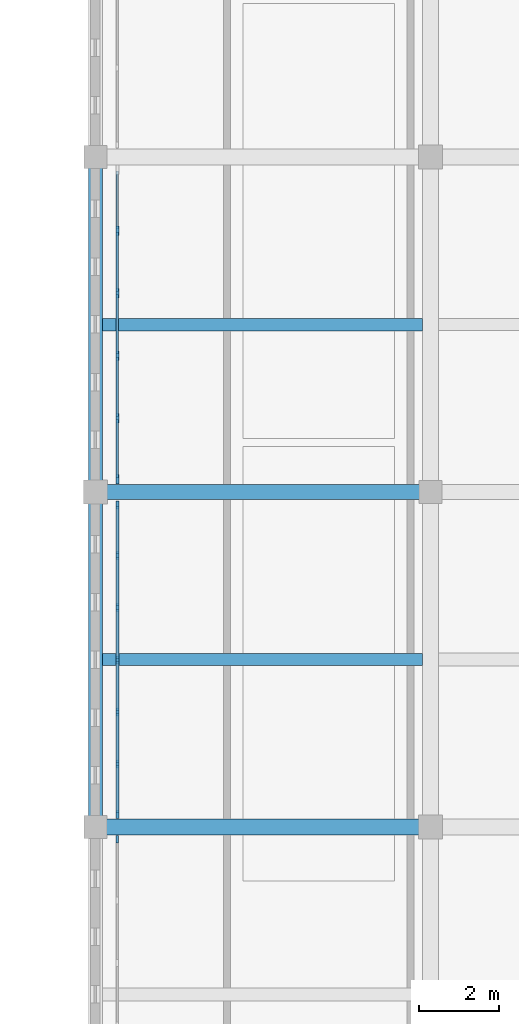
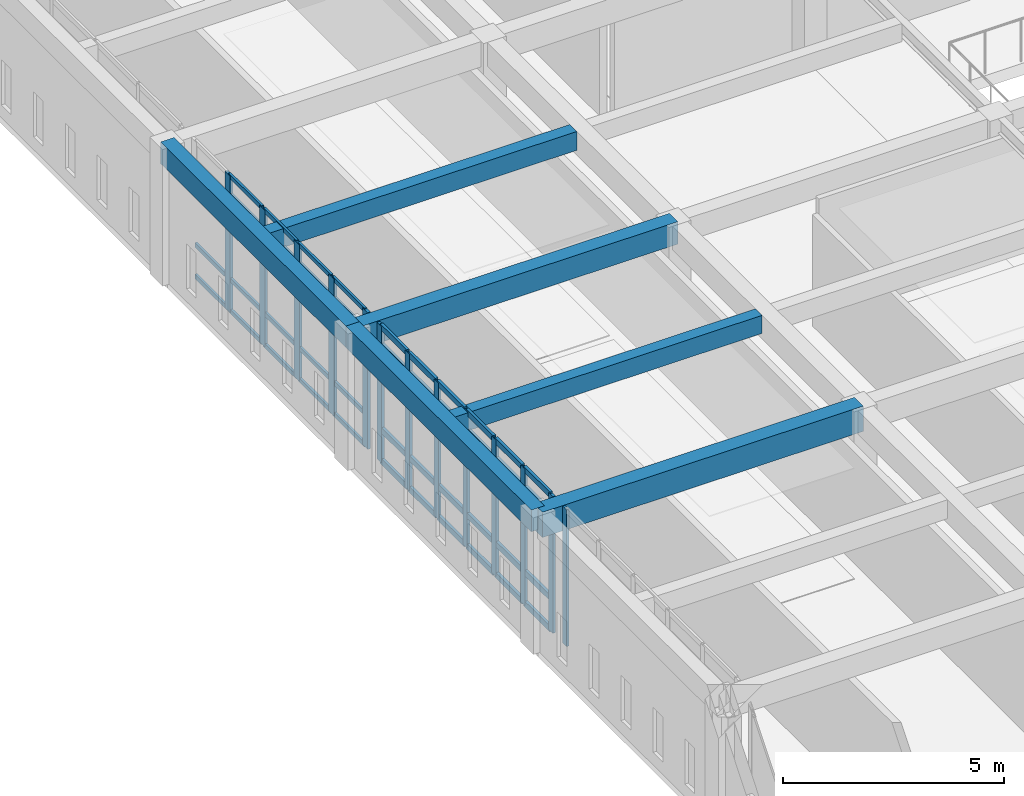
# One storey, part 5 of 56: 55 members, 6 beams, 3 elements without a shape of their own.
"""IFC4 building model written with IfcOpenShell, lengths in metres."""

from ifc_helpers import new_model, si_unit, direction, frame, origin, origin_2d, place, context, subcontext, project, spatial, rectangle, extrude, material, layer, layer_set, material_profile, profile_set, type_object, element, aggregate, save


model = new_model("IFC4")

# Units and contexts
model_context = context("Model", 3, precision=1e-05, world=origin(), true_north=direction((0.0, 1.0)))
body_context = subcontext(model_context, "Body", "Model", "MODEL_VIEW")
ifc_project = project(units=[si_unit("LENGTHUNIT", "METRE"), si_unit("AREAUNIT", "SQUARE_METRE"), si_unit("VOLUMEUNIT", "CUBIC_METRE"), si_unit("PLANEANGLEUNIT", "RADIAN"), si_unit("MASSUNIT", "GRAM", prefix="KILO")], contexts=[model_context])

# Site, building, storey
site_placement = place(None, origin())
site = spatial("IfcSite", under=ifc_project, at=site_placement, CompositionType="ELEMENT")
building_placement = place(site_placement, origin())
building = spatial("IfcBuilding", under=site, at=building_placement, Name="Kveldsbrygga Polytechnic", CompositionType="ELEMENT")
storey_placement = place(building_placement, frame((0.0, 0.0, 18.02001953125)))
storey = spatial("IfcBuildingStorey", under=building, at=storey_placement, Name="L04", CompositionType="ELEMENT", Elevation=18.02001953125)

# Beams
ifc_material_1 = material(Name="Concrete C35/45", Category="concrete")
ifc_material_profile_1 = material_profile(ifc_material_1, rectangle(XDim=0.3798828125, YDim=0.6201171875, at=origin_2d()), Name="RC 380x620")
ifc_profile_set_1 = profile_set([ifc_material_profile_1], Name="Concrete C35/45")
beam_type_1 = type_object("IfcBeamType", Name="BM-RC-380x620", PredefinedType="BEAM", material=ifc_profile_set_1)
beam_1_placement = place(storey_placement, frame((126.0, 58.800048828125, 3.469970703125), z_axis=(1.0, 0.0, 0.0), x_axis=(0.0, 1.0, 0.0)))
element("IfcBeam", 1, at=beam_1_placement, inside=storey, type_object=beam_type_1, Name="Primary Beam BMX-L04-15to16-07", PredefinedType="BEAM", context=body_context, shape_type="SweptSolid", body=[
    extrude(rectangle(XDim=0.3798828125, YDim=0.6201171875, at=origin_2d()), origin(), (0.0, 0.0, 1.0), 8.39990234375),
])
ifc_material_profile_2 = material_profile(ifc_material_1, rectangle(XDim=0.39990234375, YDim=0.699951171875, at=origin_2d()), Name="RC 400x700")
ifc_profile_set_2 = profile_set([ifc_material_profile_2], Name="Concrete C35/45")
beam_type_2 = type_object("IfcBeamType", Name="BM-RC-400x700", PredefinedType="BEAM", material=ifc_profile_set_2)
beam_2_placement = place(storey_placement, frame((126.0, 50.39990234375, 3.429931640625), z_axis=(1.0, 0.0, 0.0), x_axis=(0.0, 1.0, 0.0)))
element("IfcBeam", 2, at=beam_2_placement, inside=storey, type_object=beam_type_2, Name="Primary Beam BMX-L04-15to16-06", PredefinedType="BEAM", context=body_context, shape_type="SweptSolid", body=[
    extrude(rectangle(XDim=0.39990234375, YDim=0.699951171875, at=origin_2d()), origin(), (0.0, 0.0, 1.0), 8.39990234375),
])
ifc_material_profile_3 = material_profile(ifc_material_1, rectangle(XDim=0.35009765625, YDim=0.60009765625, at=origin_2d()), Name="RC 350x600")
ifc_profile_set_3 = profile_set([ifc_material_profile_3], Name="Concrete C35/45")
beam_type_3 = type_object("IfcBeamType", Name="BM-SPANDREL-600", PredefinedType="T_BEAM", material=ifc_profile_set_3)
beam_3_placement = place(storey_placement, frame((126.0, 50.39990234375, 3.47998046875), z_axis=(0.0, 1.0, 0.0), x_axis=(-1.0, 0.0, 0.0)))
element("IfcBeam", 3, at=beam_3_placement, inside=storey, type_object=beam_type_3, Name="Primary Beam BMY-L04-15-06to07", PredefinedType="T_BEAM", context=body_context, shape_type="SweptSolid", body=[
    extrude(rectangle(XDim=0.35009765625, YDim=0.60009765625, at=origin_2d()), origin(), (0.0, 0.0, 1.0), 8.400146484375),
])
beam_4_placement = place(storey_placement, frame((126.0, 58.800048828125, 3.47998046875), z_axis=(0.0, 1.0, 0.0), x_axis=(-1.0, 0.0, 0.0)))
element("IfcBeam", 4, at=beam_4_placement, inside=storey, type_object=beam_type_3, Name="Primary Beam BMY-L04-15-07to08", PredefinedType="T_BEAM", context=body_context, shape_type="SweptSolid", body=[
    extrude(rectangle(XDim=0.35009765625, YDim=0.60009765625, at=origin_2d()), origin(), (0.0, 0.0, 1.0), 8.39990234375),
])

# Curtain wall, member
ifc_material_2 = material(Name="Anodised aluminium AW-6060", Category="aluminium")
ifc_layer_1 = layer(ifc_material_2, 0.199951171875)
ifc_layer_set_1 = layer_set([ifc_layer_1], Name="Anodised aluminium AW-6060")
curtain_wall_type_1 = type_object("IfcCurtainWallType", Name="CW-CONC-B", PredefinedType="USERDEFINED", material=ifc_layer_set_1)
curtain_wall_1_placement = place(storey_placement, origin())
curtain_wall_1 = element("IfcCurtainWall", 5, at=curtain_wall_1_placement, inside=storey, type_object=curtain_wall_type_1, Name="Curtain Wall CW-L04-Y-15-05", ObjectType="UNITISED CURTAIN WALL", PredefinedType="USERDEFINED")
ifc_material_profile_4 = material_profile(ifc_material_2, rectangle(XDim=0.06005859375, YDim=0.179931640625, at=origin_2d()), Name="ALU 60x180")
ifc_profile_set_4 = profile_set([ifc_material_profile_4], Name="Anodised aluminium AW-6060")
member_type_1 = type_object("IfcMemberType", Name="CW-MUL-180", PredefinedType="MULLION", material=ifc_profile_set_4)
member_1_placement = place(storey_placement, frame((126.550048828125, 50.094970703125, 0.0), z_axis=(0.0, 0.0, 1.0), x_axis=(-1.0, 0.0, 0.0)))
member_1 = element("IfcMember", 6, at=member_1_placement, type_object=member_type_1, Name="CW-02 mullion 6", PredefinedType="MULLION", context=body_context, shape_type="SweptSolid", body=[
    extrude(rectangle(XDim=0.06005859375, YDim=0.179931640625, at=origin_2d()), origin(), (0.0, 0.0, 1.0), 3.780029296875),
])
aggregate(curtain_wall_1, [member_1])

# Curtain wall, members
ifc_layer_2 = layer(ifc_material_2, 0.159912109375)
ifc_layer_set_2 = layer_set([ifc_layer_2], Name="Anodised aluminium AW-6060")
curtain_wall_type_2 = type_object("IfcCurtainWallType", Name="CW-CLER-C", PredefinedType="USERDEFINED", material=ifc_layer_set_2)
curtain_wall_2_placement = place(storey_placement, origin())
curtain_wall_2 = element("IfcCurtainWall", 7, at=curtain_wall_2_placement, inside=storey, type_object=curtain_wall_type_2, Name="Curtain Wall CW-L04-Y-15-06", ObjectType="STICK CURTAIN WALL", PredefinedType="USERDEFINED")
ifc_material_profile_5 = material_profile(ifc_material_2, rectangle(XDim=0.074951171875, YDim=0.199951171875, at=origin_2d()), Name="ALU 75x200")
ifc_profile_set_5 = profile_set([ifc_material_profile_5], Name="Anodised aluminium AW-6060")
member_type_2 = type_object("IfcMemberType", Name="CW-MUL-200", PredefinedType="MULLION", material=ifc_profile_set_5)
member_2_placement = place(storey_placement, frame((126.550048828125, 50.71240234375, 0.0), z_axis=(0.0, 0.0, 1.0), x_axis=(-1.0, 0.0, 0.0)))
member_2 = element("IfcMember", 8, at=member_2_placement, type_object=member_type_2, Name="CW-03 mullion 1", PredefinedType="MULLION", context=body_context, shape_type="SweptSolid", body=[
    extrude(rectangle(XDim=0.074951171875, YDim=0.199951171875, at=origin_2d()), origin(), (0.0, 0.0, 1.0), 3.780029296875),
])
member_3_placement = place(storey_placement, frame((126.550048828125, 51.981689453125, 0.0), z_axis=(0.0, 0.0, 1.0), x_axis=(-1.0, 0.0, 0.0)))
member_3 = element("IfcMember", 9, at=member_3_placement, type_object=member_type_2, Name="CW-03 mullion 2", PredefinedType="MULLION", context=body_context, shape_type="SweptSolid", body=[
    extrude(rectangle(XDim=0.074951171875, YDim=0.199951171875, at=origin_2d()), origin(), (0.0, 0.0, 1.0), 3.780029296875),
])
member_4_placement = place(storey_placement, frame((126.550048828125, 53.288330078125, 0.0), z_axis=(0.0, 0.0, 1.0), x_axis=(-1.0, 0.0, 0.0)))
member_4 = element("IfcMember", 10, at=member_4_placement, type_object=member_type_2, Name="CW-03 mullion 3", PredefinedType="MULLION", context=body_context, shape_type="SweptSolid", body=[
    extrude(rectangle(XDim=0.074951171875, YDim=0.199951171875, at=origin_2d()), origin(), (0.0, 0.0, 1.0), 3.780029296875),
])
member_5_placement = place(storey_placement, frame((126.550048828125, 54.594970703125, 0.0), z_axis=(0.0, 0.0, 1.0), x_axis=(-1.0, 0.0, 0.0)))
member_5 = element("IfcMember", 11, at=member_5_placement, type_object=member_type_2, Name="CW-03 mullion 4", PredefinedType="MULLION", context=body_context, shape_type="SweptSolid", body=[
    extrude(rectangle(XDim=0.074951171875, YDim=0.199951171875, at=origin_2d()), origin(), (0.0, 0.0, 1.0), 3.780029296875),
])
member_6_placement = place(storey_placement, frame((126.550048828125, 55.901611328125, 0.0), z_axis=(0.0, 0.0, 1.0), x_axis=(-1.0, 0.0, 0.0)))
member_6 = element("IfcMember", 12, at=member_6_placement, type_object=member_type_2, Name="CW-03 mullion 5", PredefinedType="MULLION", context=body_context, shape_type="SweptSolid", body=[
    extrude(rectangle(XDim=0.074951171875, YDim=0.199951171875, at=origin_2d()), origin(), (0.0, 0.0, 1.0), 3.780029296875),
])
member_7_placement = place(storey_placement, frame((126.550048828125, 57.208251953125, 0.0), z_axis=(0.0, 0.0, 1.0), x_axis=(-1.0, 0.0, 0.0)))
member_7 = element("IfcMember", 13, at=member_7_placement, type_object=member_type_2, Name="CW-03 mullion 6", PredefinedType="MULLION", context=body_context, shape_type="SweptSolid", body=[
    extrude(rectangle(XDim=0.074951171875, YDim=0.199951171875, at=origin_2d()), origin(), (0.0, 0.0, 1.0), 3.780029296875),
])
member_8_placement = place(storey_placement, frame((126.550048828125, 58.4775390625, 0.0), z_axis=(0.0, 0.0, 1.0), x_axis=(-1.0, 0.0, 0.0)))
member_8 = element("IfcMember", 14, at=member_8_placement, type_object=member_type_2, Name="CW-03 mullion 7", PredefinedType="MULLION", context=body_context, shape_type="SweptSolid", body=[
    extrude(rectangle(XDim=0.074951171875, YDim=0.199951171875, at=origin_2d()), origin(), (0.0, 0.0, 1.0), 3.780029296875),
])

ifc_layer_3 = layer(ifc_material_2, 0.179931640625)
ifc_layer_set_3 = layer_set([ifc_layer_3], Name="Anodised aluminium AW-6060")
curtain_wall_type_3 = type_object("IfcCurtainWallType", Name="CW-LANC-D", PredefinedType="USERDEFINED", material=ifc_layer_set_3)
curtain_wall_3_placement = place(storey_placement, origin())
curtain_wall_3 = element("IfcCurtainWall", 15, at=curtain_wall_3_placement, inside=storey, type_object=curtain_wall_type_3, Name="Curtain Wall CW-L04-Y-15-07", ObjectType="UNITISED CURTAIN WALL", PredefinedType="USERDEFINED")
ifc_material_profile_6 = material_profile(ifc_material_2, rectangle(XDim=0.074951171875, YDim=0.239990234375, at=origin_2d()), Name="ALU 75x240")
ifc_profile_set_6 = profile_set([ifc_material_profile_6], Name="Anodised aluminium AW-6060")
member_type_3 = type_object("IfcMemberType", Name="CW-MUL-240", PredefinedType="MULLION", material=ifc_profile_set_6)
member_9_placement = place(storey_placement, frame((126.550048828125, 59.12255859375, 0.0), z_axis=(0.0, 0.0, 1.0), x_axis=(-1.0, 0.0, 0.0)))
member_9 = element("IfcMember", 16, at=member_9_placement, type_object=member_type_3, Name="CW-04 mullion 1", PredefinedType="MULLION", context=body_context, shape_type="SweptSolid", body=[
    extrude(rectangle(XDim=0.074951171875, YDim=0.239990234375, at=origin_2d()), origin(), (0.0, 0.0, 1.0), 3.780029296875),
])
member_10_placement = place(storey_placement, frame((126.550048828125, 60.653076171875, 0.0), z_axis=(0.0, 0.0, 1.0), x_axis=(-1.0, 0.0, 0.0)))
member_10 = element("IfcMember", 17, at=member_10_placement, type_object=member_type_3, Name="CW-04 mullion 2", PredefinedType="MULLION", context=body_context, shape_type="SweptSolid", body=[
    extrude(rectangle(XDim=0.074951171875, YDim=0.239990234375, at=origin_2d()), origin(), (0.0, 0.0, 1.0), 3.780029296875),
])
member_11_placement = place(storey_placement, frame((126.550048828125, 62.220947265625, 0.0), z_axis=(0.0, 0.0, 1.0), x_axis=(-1.0, 0.0, 0.0)))
member_11 = element("IfcMember", 18, at=member_11_placement, type_object=member_type_3, Name="CW-04 mullion 3", PredefinedType="MULLION", context=body_context, shape_type="SweptSolid", body=[
    extrude(rectangle(XDim=0.074951171875, YDim=0.239990234375, at=origin_2d()), origin(), (0.0, 0.0, 1.0), 3.780029296875),
])
member_12_placement = place(storey_placement, frame((126.550048828125, 63.7890625, 0.0), z_axis=(0.0, 0.0, 1.0), x_axis=(-1.0, 0.0, 0.0)))
member_12 = element("IfcMember", 19, at=member_12_placement, type_object=member_type_3, Name="CW-04 mullion 4", PredefinedType="MULLION", context=body_context, shape_type="SweptSolid", body=[
    extrude(rectangle(XDim=0.074951171875, YDim=0.239990234375, at=origin_2d()), origin(), (0.0, 0.0, 1.0), 3.780029296875),
])
member_13_placement = place(storey_placement, frame((126.550048828125, 65.35693359375, 0.0), z_axis=(0.0, 0.0, 1.0), x_axis=(-1.0, 0.0, 0.0)))
member_13 = element("IfcMember", 20, at=member_13_placement, type_object=member_type_3, Name="CW-04 mullion 5", PredefinedType="MULLION", context=body_context, shape_type="SweptSolid", body=[
    extrude(rectangle(XDim=0.074951171875, YDim=0.239990234375, at=origin_2d()), origin(), (0.0, 0.0, 1.0), 3.780029296875),
])
ifc_material_profile_7 = material_profile(ifc_material_2, rectangle(XDim=0.06005859375, YDim=0.1201171875, at=origin_2d()), Name="ALU 60x120")
ifc_profile_set_7 = profile_set([ifc_material_profile_7], Name="Anodised aluminium AW-6060")
member_type_4 = type_object("IfcMemberType", Name="CW-TRN-120", PredefinedType="USERDEFINED", material=ifc_profile_set_7)
member_14_placement = place(storey_placement, frame((126.550048828125, 59.159912109375, 0.030029296875), z_axis=(0.0, 1.0, 0.0), x_axis=(-1.0, 0.0, 0.0)))
member_14 = element("IfcMember", 21, at=member_14_placement, type_object=member_type_4, Name="CW-04 transom 1.1", ObjectType="TRANSOM", PredefinedType="USERDEFINED", context=body_context, shape_type="SweptSolid", body=[
    extrude(rectangle(XDim=0.06005859375, YDim=0.1201171875, at=origin_2d()), origin(), (0.0, 0.0, 1.0), 1.45556640625),
])
member_15_placement = place(storey_placement, frame((126.550048828125, 59.159912109375, 0.89990234375), z_axis=(0.0, 1.0, 0.0), x_axis=(-1.0, 0.0, 0.0)))
member_15 = element("IfcMember", 22, at=member_15_placement, type_object=member_type_4, Name="CW-04 transom 1.2", ObjectType="TRANSOM", PredefinedType="USERDEFINED", context=body_context, shape_type="SweptSolid", body=[
    extrude(rectangle(XDim=0.06005859375, YDim=0.1201171875, at=origin_2d()), origin(), (0.0, 0.0, 1.0), 1.45556640625),
])
member_16_placement = place(storey_placement, frame((126.550048828125, 59.159912109375, 3.22998046875), z_axis=(0.0, 1.0, 0.0), x_axis=(-1.0, 0.0, 0.0)))
member_16 = element("IfcMember", 23, at=member_16_placement, type_object=member_type_4, Name="CW-04 transom 1.3", ObjectType="TRANSOM", PredefinedType="USERDEFINED", context=body_context, shape_type="SweptSolid", body=[
    extrude(rectangle(XDim=0.06005859375, YDim=0.1201171875, at=origin_2d()), origin(), (0.0, 0.0, 1.0), 1.45556640625),
])
member_17_placement = place(storey_placement, frame((126.550048828125, 59.159912109375, 3.75), z_axis=(0.0, 1.0, 0.0), x_axis=(-1.0, 0.0, 0.0)))
member_17 = element("IfcMember", 24, at=member_17_placement, type_object=member_type_4, Name="CW-04 transom 1.4", ObjectType="TRANSOM", PredefinedType="USERDEFINED", context=body_context, shape_type="SweptSolid", body=[
    extrude(rectangle(XDim=0.06005859375, YDim=0.1201171875, at=origin_2d()), origin(), (0.0, 0.0, 1.0), 1.45556640625),
])
member_18_placement = place(storey_placement, frame((126.550048828125, 60.6904296875, 0.030029296875), z_axis=(0.0, 1.0, 0.0), x_axis=(-1.0, 0.0, 0.0)))
member_18 = element("IfcMember", 25, at=member_18_placement, type_object=member_type_4, Name="CW-04 transom 2.1", ObjectType="TRANSOM", PredefinedType="USERDEFINED", context=body_context, shape_type="SweptSolid", body=[
    extrude(rectangle(XDim=0.06005859375, YDim=0.1201171875, at=origin_2d()), origin(), (0.0, 0.0, 1.0), 1.4931640625),
])
member_19_placement = place(storey_placement, frame((126.550048828125, 60.6904296875, 0.89990234375), z_axis=(0.0, 1.0, 0.0), x_axis=(-1.0, 0.0, 0.0)))
member_19 = element("IfcMember", 26, at=member_19_placement, type_object=member_type_4, Name="CW-04 transom 2.2", ObjectType="TRANSOM", PredefinedType="USERDEFINED", context=body_context, shape_type="SweptSolid", body=[
    extrude(rectangle(XDim=0.06005859375, YDim=0.1201171875, at=origin_2d()), origin(), (0.0, 0.0, 1.0), 1.4931640625),
])
member_20_placement = place(storey_placement, frame((126.550048828125, 60.6904296875, 3.22998046875), z_axis=(0.0, 1.0, 0.0), x_axis=(-1.0, 0.0, 0.0)))
member_20 = element("IfcMember", 27, at=member_20_placement, type_object=member_type_4, Name="CW-04 transom 2.3", ObjectType="TRANSOM", PredefinedType="USERDEFINED", context=body_context, shape_type="SweptSolid", body=[
    extrude(rectangle(XDim=0.06005859375, YDim=0.1201171875, at=origin_2d()), origin(), (0.0, 0.0, 1.0), 1.4931640625),
])
member_21_placement = place(storey_placement, frame((126.550048828125, 60.6904296875, 3.75), z_axis=(0.0, 1.0, 0.0), x_axis=(-1.0, 0.0, 0.0)))
member_21 = element("IfcMember", 28, at=member_21_placement, type_object=member_type_4, Name="CW-04 transom 2.4", ObjectType="TRANSOM", PredefinedType="USERDEFINED", context=body_context, shape_type="SweptSolid", body=[
    extrude(rectangle(XDim=0.06005859375, YDim=0.1201171875, at=origin_2d()), origin(), (0.0, 0.0, 1.0), 1.4931640625),
])
member_22_placement = place(storey_placement, frame((126.550048828125, 62.258544921875, 0.030029296875), z_axis=(0.0, 1.0, 0.0), x_axis=(-1.0, 0.0, 0.0)))
member_22 = element("IfcMember", 29, at=member_22_placement, type_object=member_type_4, Name="CW-04 transom 3.1", ObjectType="TRANSOM", PredefinedType="USERDEFINED", context=body_context, shape_type="SweptSolid", body=[
    extrude(rectangle(XDim=0.06005859375, YDim=0.1201171875, at=origin_2d()), origin(), (0.0, 0.0, 1.0), 1.492919921875),
])
member_23_placement = place(storey_placement, frame((126.550048828125, 62.258544921875, 0.89990234375), z_axis=(0.0, 1.0, 0.0), x_axis=(-1.0, 0.0, 0.0)))
member_23 = element("IfcMember", 30, at=member_23_placement, type_object=member_type_4, Name="CW-04 transom 3.2", ObjectType="TRANSOM", PredefinedType="USERDEFINED", context=body_context, shape_type="SweptSolid", body=[
    extrude(rectangle(XDim=0.06005859375, YDim=0.1201171875, at=origin_2d()), origin(), (0.0, 0.0, 1.0), 1.492919921875),
])
member_24_placement = place(storey_placement, frame((126.550048828125, 62.258544921875, 3.22998046875), z_axis=(0.0, 1.0, 0.0), x_axis=(-1.0, 0.0, 0.0)))
member_24 = element("IfcMember", 31, at=member_24_placement, type_object=member_type_4, Name="CW-04 transom 3.3", ObjectType="TRANSOM", PredefinedType="USERDEFINED", context=body_context, shape_type="SweptSolid", body=[
    extrude(rectangle(XDim=0.06005859375, YDim=0.1201171875, at=origin_2d()), origin(), (0.0, 0.0, 1.0), 1.492919921875),
])
member_25_placement = place(storey_placement, frame((126.550048828125, 62.258544921875, 3.75), z_axis=(0.0, 1.0, 0.0), x_axis=(-1.0, 0.0, 0.0)))
member_25 = element("IfcMember", 32, at=member_25_placement, type_object=member_type_4, Name="CW-04 transom 3.4", ObjectType="TRANSOM", PredefinedType="USERDEFINED", context=body_context, shape_type="SweptSolid", body=[
    extrude(rectangle(XDim=0.06005859375, YDim=0.1201171875, at=origin_2d()), origin(), (0.0, 0.0, 1.0), 1.492919921875),
])
member_26_placement = place(storey_placement, frame((126.550048828125, 63.826416015625, 0.030029296875), z_axis=(0.0, 1.0, 0.0), x_axis=(-1.0, 0.0, 0.0)))
member_26 = element("IfcMember", 33, at=member_26_placement, type_object=member_type_4, Name="CW-04 transom 4.1", ObjectType="TRANSOM", PredefinedType="USERDEFINED", context=body_context, shape_type="SweptSolid", body=[
    extrude(rectangle(XDim=0.06005859375, YDim=0.1201171875, at=origin_2d()), origin(), (0.0, 0.0, 1.0), 1.4931640625),
])
member_27_placement = place(storey_placement, frame((126.550048828125, 63.826416015625, 0.89990234375), z_axis=(0.0, 1.0, 0.0), x_axis=(-1.0, 0.0, 0.0)))
member_27 = element("IfcMember", 34, at=member_27_placement, type_object=member_type_4, Name="CW-04 transom 4.2", ObjectType="TRANSOM", PredefinedType="USERDEFINED", context=body_context, shape_type="SweptSolid", body=[
    extrude(rectangle(XDim=0.06005859375, YDim=0.1201171875, at=origin_2d()), origin(), (0.0, 0.0, 1.0), 1.4931640625),
])
member_28_placement = place(storey_placement, frame((126.550048828125, 63.826416015625, 3.22998046875), z_axis=(0.0, 1.0, 0.0), x_axis=(-1.0, 0.0, 0.0)))
member_28 = element("IfcMember", 35, at=member_28_placement, type_object=member_type_4, Name="CW-04 transom 4.3", ObjectType="TRANSOM", PredefinedType="USERDEFINED", context=body_context, shape_type="SweptSolid", body=[
    extrude(rectangle(XDim=0.06005859375, YDim=0.1201171875, at=origin_2d()), origin(), (0.0, 0.0, 1.0), 1.4931640625),
])
member_29_placement = place(storey_placement, frame((126.550048828125, 63.826416015625, 3.75), z_axis=(0.0, 1.0, 0.0), x_axis=(-1.0, 0.0, 0.0)))
member_29 = element("IfcMember", 36, at=member_29_placement, type_object=member_type_4, Name="CW-04 transom 4.4", ObjectType="TRANSOM", PredefinedType="USERDEFINED", context=body_context, shape_type="SweptSolid", body=[
    extrude(rectangle(XDim=0.06005859375, YDim=0.1201171875, at=origin_2d()), origin(), (0.0, 0.0, 1.0), 1.4931640625),
])
member_30_placement = place(storey_placement, frame((126.550048828125, 65.39453125, 0.030029296875), z_axis=(0.0, 1.0, 0.0), x_axis=(-1.0, 0.0, 0.0)))
member_30 = element("IfcMember", 37, at=member_30_placement, type_object=member_type_4, Name="CW-04 transom 5.1", ObjectType="TRANSOM", PredefinedType="USERDEFINED", context=body_context, shape_type="SweptSolid", body=[
    extrude(rectangle(XDim=0.06005859375, YDim=0.1201171875, at=origin_2d()), origin(), (0.0, 0.0, 1.0), 1.45556640625),
])
member_31_placement = place(storey_placement, frame((126.550048828125, 65.39453125, 0.89990234375), z_axis=(0.0, 1.0, 0.0), x_axis=(-1.0, 0.0, 0.0)))
member_31 = element("IfcMember", 38, at=member_31_placement, type_object=member_type_4, Name="CW-04 transom 5.2", ObjectType="TRANSOM", PredefinedType="USERDEFINED", context=body_context, shape_type="SweptSolid", body=[
    extrude(rectangle(XDim=0.06005859375, YDim=0.1201171875, at=origin_2d()), origin(), (0.0, 0.0, 1.0), 1.45556640625),
])
aggregate(curtain_wall_3, [member_9, member_10, member_11, member_12, member_13, member_14, member_15, member_16, member_17, member_18, member_19, member_20, member_21, member_22, member_23, member_24, member_25, member_26, member_27, member_28, member_29, member_30, member_31])

# Member
ifc_material_profile_8 = material_profile(ifc_material_2, rectangle(XDim=0.074951171875, YDim=0.159912109375, at=origin_2d()), Name="ALU 75x160")
ifc_profile_set_8 = profile_set([ifc_material_profile_8], Name="Anodised aluminium AW-6060")
member_type_5 = type_object("IfcMemberType", Name="CW-TRN-160", PredefinedType="USERDEFINED", material=ifc_profile_set_8)
member_32_placement = place(storey_placement, frame((126.550048828125, 50.75, 0.03759765625), z_axis=(0.0, 1.0, 0.0), x_axis=(-1.0, 0.0, 0.0)))
member_32 = element("IfcMember", 39, at=member_32_placement, type_object=member_type_5, Name="CW-03 transom 1.1", ObjectType="TRANSOM", PredefinedType="USERDEFINED", context=body_context, shape_type="SweptSolid", body=[
    extrude(rectangle(XDim=0.074951171875, YDim=0.159912109375, at=origin_2d()), origin(), (0.0, 0.0, 1.0), 1.194091796875),
])

member_33_placement = place(storey_placement, frame((126.550048828125, 50.75, 0.89990234375), z_axis=(0.0, 1.0, 0.0), x_axis=(-1.0, 0.0, 0.0)))
member_33 = element("IfcMember", 40, at=member_33_placement, type_object=member_type_5, Name="CW-03 transom 1.2", ObjectType="TRANSOM", PredefinedType="USERDEFINED", context=body_context, shape_type="SweptSolid", body=[
    extrude(rectangle(XDim=0.074951171875, YDim=0.159912109375, at=origin_2d()), origin(), (0.0, 0.0, 1.0), 1.194091796875),
])

member_34_placement = place(storey_placement, frame((126.550048828125, 50.75, 3.22998046875), z_axis=(0.0, 1.0, 0.0), x_axis=(-1.0, 0.0, 0.0)))
member_34 = element("IfcMember", 41, at=member_34_placement, type_object=member_type_5, Name="CW-03 transom 1.3", ObjectType="TRANSOM", PredefinedType="USERDEFINED", context=body_context, shape_type="SweptSolid", body=[
    extrude(rectangle(XDim=0.074951171875, YDim=0.159912109375, at=origin_2d()), origin(), (0.0, 0.0, 1.0), 1.194091796875),
])

member_35_placement = place(storey_placement, frame((126.550048828125, 50.75, 3.742431640625), z_axis=(0.0, 1.0, 0.0), x_axis=(-1.0, 0.0, 0.0)))
member_35 = element("IfcMember", 42, at=member_35_placement, type_object=member_type_5, Name="CW-03 transom 1.4", ObjectType="TRANSOM", PredefinedType="USERDEFINED", context=body_context, shape_type="SweptSolid", body=[
    extrude(rectangle(XDim=0.074951171875, YDim=0.159912109375, at=origin_2d()), origin(), (0.0, 0.0, 1.0), 1.194091796875),
])

member_36_placement = place(storey_placement, frame((126.550048828125, 52.019287109375, 0.03759765625), z_axis=(0.0, 1.0, 0.0), x_axis=(-1.0, 0.0, 0.0)))
member_36 = element("IfcMember", 43, at=member_36_placement, type_object=member_type_5, Name="CW-03 transom 2.1", ObjectType="TRANSOM", PredefinedType="USERDEFINED", context=body_context, shape_type="SweptSolid", body=[
    extrude(rectangle(XDim=0.074951171875, YDim=0.159912109375, at=origin_2d()), origin(), (0.0, 0.0, 1.0), 1.2314453125),
])

member_37_placement = place(storey_placement, frame((126.550048828125, 52.019287109375, 0.89990234375), z_axis=(0.0, 1.0, 0.0), x_axis=(-1.0, 0.0, 0.0)))
member_37 = element("IfcMember", 44, at=member_37_placement, type_object=member_type_5, Name="CW-03 transom 2.2", ObjectType="TRANSOM", PredefinedType="USERDEFINED", context=body_context, shape_type="SweptSolid", body=[
    extrude(rectangle(XDim=0.074951171875, YDim=0.159912109375, at=origin_2d()), origin(), (0.0, 0.0, 1.0), 1.2314453125),
])

member_38_placement = place(storey_placement, frame((126.550048828125, 52.019287109375, 3.22998046875), z_axis=(0.0, 1.0, 0.0), x_axis=(-1.0, 0.0, 0.0)))
member_38 = element("IfcMember", 45, at=member_38_placement, type_object=member_type_5, Name="CW-03 transom 2.3", ObjectType="TRANSOM", PredefinedType="USERDEFINED", context=body_context, shape_type="SweptSolid", body=[
    extrude(rectangle(XDim=0.074951171875, YDim=0.159912109375, at=origin_2d()), origin(), (0.0, 0.0, 1.0), 1.2314453125),
])

member_39_placement = place(storey_placement, frame((126.550048828125, 52.019287109375, 3.742431640625), z_axis=(0.0, 1.0, 0.0), x_axis=(-1.0, 0.0, 0.0)))
member_39 = element("IfcMember", 46, at=member_39_placement, type_object=member_type_5, Name="CW-03 transom 2.4", ObjectType="TRANSOM", PredefinedType="USERDEFINED", context=body_context, shape_type="SweptSolid", body=[
    extrude(rectangle(XDim=0.074951171875, YDim=0.159912109375, at=origin_2d()), origin(), (0.0, 0.0, 1.0), 1.2314453125),
])

member_40_placement = place(storey_placement, frame((126.550048828125, 53.325927734375, 0.03759765625), z_axis=(0.0, 1.0, 0.0), x_axis=(-1.0, 0.0, 0.0)))
member_40 = element("IfcMember", 47, at=member_40_placement, type_object=member_type_5, Name="CW-03 transom 3.1", ObjectType="TRANSOM", PredefinedType="USERDEFINED", context=body_context, shape_type="SweptSolid", body=[
    extrude(rectangle(XDim=0.074951171875, YDim=0.159912109375, at=origin_2d()), origin(), (0.0, 0.0, 1.0), 1.231689453125),
])

member_41_placement = place(storey_placement, frame((126.550048828125, 53.325927734375, 0.89990234375), z_axis=(0.0, 1.0, 0.0), x_axis=(-1.0, 0.0, 0.0)))
member_41 = element("IfcMember", 48, at=member_41_placement, type_object=member_type_5, Name="CW-03 transom 3.2", ObjectType="TRANSOM", PredefinedType="USERDEFINED", context=body_context, shape_type="SweptSolid", body=[
    extrude(rectangle(XDim=0.074951171875, YDim=0.159912109375, at=origin_2d()), origin(), (0.0, 0.0, 1.0), 1.231689453125),
])

member_42_placement = place(storey_placement, frame((126.550048828125, 53.325927734375, 3.22998046875), z_axis=(0.0, 1.0, 0.0), x_axis=(-1.0, 0.0, 0.0)))
member_42 = element("IfcMember", 49, at=member_42_placement, type_object=member_type_5, Name="CW-03 transom 3.3", ObjectType="TRANSOM", PredefinedType="USERDEFINED", context=body_context, shape_type="SweptSolid", body=[
    extrude(rectangle(XDim=0.074951171875, YDim=0.159912109375, at=origin_2d()), origin(), (0.0, 0.0, 1.0), 1.231689453125),
])

member_43_placement = place(storey_placement, frame((126.550048828125, 53.325927734375, 3.742431640625), z_axis=(0.0, 1.0, 0.0), x_axis=(-1.0, 0.0, 0.0)))
member_43 = element("IfcMember", 50, at=member_43_placement, type_object=member_type_5, Name="CW-03 transom 3.4", ObjectType="TRANSOM", PredefinedType="USERDEFINED", context=body_context, shape_type="SweptSolid", body=[
    extrude(rectangle(XDim=0.074951171875, YDim=0.159912109375, at=origin_2d()), origin(), (0.0, 0.0, 1.0), 1.231689453125),
])

member_44_placement = place(storey_placement, frame((126.550048828125, 54.632568359375, 0.03759765625), z_axis=(0.0, 1.0, 0.0), x_axis=(-1.0, 0.0, 0.0)))
member_44 = element("IfcMember", 51, at=member_44_placement, type_object=member_type_5, Name="CW-03 transom 4.1", ObjectType="TRANSOM", PredefinedType="USERDEFINED", context=body_context, shape_type="SweptSolid", body=[
    extrude(rectangle(XDim=0.074951171875, YDim=0.159912109375, at=origin_2d()), origin(), (0.0, 0.0, 1.0), 1.231689453125),
])

member_45_placement = place(storey_placement, frame((126.550048828125, 54.632568359375, 0.89990234375), z_axis=(0.0, 1.0, 0.0), x_axis=(-1.0, 0.0, 0.0)))
member_45 = element("IfcMember", 52, at=member_45_placement, type_object=member_type_5, Name="CW-03 transom 4.2", ObjectType="TRANSOM", PredefinedType="USERDEFINED", context=body_context, shape_type="SweptSolid", body=[
    extrude(rectangle(XDim=0.074951171875, YDim=0.159912109375, at=origin_2d()), origin(), (0.0, 0.0, 1.0), 1.231689453125),
])

member_46_placement = place(storey_placement, frame((126.550048828125, 54.632568359375, 3.22998046875), z_axis=(0.0, 1.0, 0.0), x_axis=(-1.0, 0.0, 0.0)))
member_46 = element("IfcMember", 53, at=member_46_placement, type_object=member_type_5, Name="CW-03 transom 4.3", ObjectType="TRANSOM", PredefinedType="USERDEFINED", context=body_context, shape_type="SweptSolid", body=[
    extrude(rectangle(XDim=0.074951171875, YDim=0.159912109375, at=origin_2d()), origin(), (0.0, 0.0, 1.0), 1.231689453125),
])

member_47_placement = place(storey_placement, frame((126.550048828125, 54.632568359375, 3.742431640625), z_axis=(0.0, 1.0, 0.0), x_axis=(-1.0, 0.0, 0.0)))
member_47 = element("IfcMember", 54, at=member_47_placement, type_object=member_type_5, Name="CW-03 transom 4.4", ObjectType="TRANSOM", PredefinedType="USERDEFINED", context=body_context, shape_type="SweptSolid", body=[
    extrude(rectangle(XDim=0.074951171875, YDim=0.159912109375, at=origin_2d()), origin(), (0.0, 0.0, 1.0), 1.231689453125),
])

member_48_placement = place(storey_placement, frame((126.550048828125, 55.939208984375, 0.03759765625), z_axis=(0.0, 1.0, 0.0), x_axis=(-1.0, 0.0, 0.0)))
member_48 = element("IfcMember", 55, at=member_48_placement, type_object=member_type_5, Name="CW-03 transom 5.1", ObjectType="TRANSOM", PredefinedType="USERDEFINED", context=body_context, shape_type="SweptSolid", body=[
    extrude(rectangle(XDim=0.074951171875, YDim=0.159912109375, at=origin_2d()), origin(), (0.0, 0.0, 1.0), 1.231689453125),
])

member_49_placement = place(storey_placement, frame((126.550048828125, 55.939208984375, 0.89990234375), z_axis=(0.0, 1.0, 0.0), x_axis=(-1.0, 0.0, 0.0)))
member_49 = element("IfcMember", 56, at=member_49_placement, type_object=member_type_5, Name="CW-03 transom 5.2", ObjectType="TRANSOM", PredefinedType="USERDEFINED", context=body_context, shape_type="SweptSolid", body=[
    extrude(rectangle(XDim=0.074951171875, YDim=0.159912109375, at=origin_2d()), origin(), (0.0, 0.0, 1.0), 1.231689453125),
])

member_50_placement = place(storey_placement, frame((126.550048828125, 55.939208984375, 3.22998046875), z_axis=(0.0, 1.0, 0.0), x_axis=(-1.0, 0.0, 0.0)))
member_50 = element("IfcMember", 57, at=member_50_placement, type_object=member_type_5, Name="CW-03 transom 5.3", ObjectType="TRANSOM", PredefinedType="USERDEFINED", context=body_context, shape_type="SweptSolid", body=[
    extrude(rectangle(XDim=0.074951171875, YDim=0.159912109375, at=origin_2d()), origin(), (0.0, 0.0, 1.0), 1.231689453125),
])

member_51_placement = place(storey_placement, frame((126.550048828125, 55.939208984375, 3.742431640625), z_axis=(0.0, 1.0, 0.0), x_axis=(-1.0, 0.0, 0.0)))
member_51 = element("IfcMember", 58, at=member_51_placement, type_object=member_type_5, Name="CW-03 transom 5.4", ObjectType="TRANSOM", PredefinedType="USERDEFINED", context=body_context, shape_type="SweptSolid", body=[
    extrude(rectangle(XDim=0.074951171875, YDim=0.159912109375, at=origin_2d()), origin(), (0.0, 0.0, 1.0), 1.231689453125),
])

member_52_placement = place(storey_placement, frame((126.550048828125, 57.245849609375, 0.03759765625), z_axis=(0.0, 1.0, 0.0), x_axis=(-1.0, 0.0, 0.0)))
member_52 = element("IfcMember", 59, at=member_52_placement, type_object=member_type_5, Name="CW-03 transom 6.1", ObjectType="TRANSOM", PredefinedType="USERDEFINED", context=body_context, shape_type="SweptSolid", body=[
    extrude(rectangle(XDim=0.074951171875, YDim=0.159912109375, at=origin_2d()), origin(), (0.0, 0.0, 1.0), 1.194091796875),
])

member_53_placement = place(storey_placement, frame((126.550048828125, 57.245849609375, 0.89990234375), z_axis=(0.0, 1.0, 0.0), x_axis=(-1.0, 0.0, 0.0)))
member_53 = element("IfcMember", 60, at=member_53_placement, type_object=member_type_5, Name="CW-03 transom 6.2", ObjectType="TRANSOM", PredefinedType="USERDEFINED", context=body_context, shape_type="SweptSolid", body=[
    extrude(rectangle(XDim=0.074951171875, YDim=0.159912109375, at=origin_2d()), origin(), (0.0, 0.0, 1.0), 1.194091796875),
])

member_54_placement = place(storey_placement, frame((126.550048828125, 57.245849609375, 3.22998046875), z_axis=(0.0, 1.0, 0.0), x_axis=(-1.0, 0.0, 0.0)))
member_54 = element("IfcMember", 61, at=member_54_placement, type_object=member_type_5, Name="CW-03 transom 6.3", ObjectType="TRANSOM", PredefinedType="USERDEFINED", context=body_context, shape_type="SweptSolid", body=[
    extrude(rectangle(XDim=0.074951171875, YDim=0.159912109375, at=origin_2d()), origin(), (0.0, 0.0, 1.0), 1.194091796875),
])

member_55_placement = place(storey_placement, frame((126.550048828125, 57.245849609375, 3.742431640625), z_axis=(0.0, 1.0, 0.0), x_axis=(-1.0, 0.0, 0.0)))
member_55 = element("IfcMember", 62, at=member_55_placement, type_object=member_type_5, Name="CW-03 transom 6.4", ObjectType="TRANSOM", PredefinedType="USERDEFINED", context=body_context, shape_type="SweptSolid", body=[
    extrude(rectangle(XDim=0.074951171875, YDim=0.159912109375, at=origin_2d()), origin(), (0.0, 0.0, 1.0), 1.194091796875),
])

aggregate(curtain_wall_2, [member_2, member_3, member_4, member_5, member_6, member_7, member_8, member_32, member_33, member_34, member_35, member_36, member_37, member_38, member_39, member_40, member_41, member_42, member_43, member_44, member_45, member_46, member_47, member_48, member_49, member_50, member_51, member_52, member_53, member_54, member_55])

# Beams
ifc_material_profile_9 = material_profile(ifc_material_1, rectangle(XDim=0.300048828125, YDim=0.5, at=origin_2d()), Name="RC 300x500")
ifc_profile_set_9 = profile_set([ifc_material_profile_9], Name="Concrete C35/45")
beam_type_4 = type_object("IfcBeamType", Name="JST-RC-300x500", PredefinedType="JOIST", material=ifc_profile_set_9)
beam_5_placement = place(storey_placement, frame((126.175048828125, 54.60009765625, 3.530029296875), z_axis=(1.0, 0.0, 0.0), x_axis=(0.0, 1.0, 0.0)))
element("IfcBeam", 63, at=beam_5_placement, inside=storey, type_object=beam_type_4, Name="Secondary Joist JST-L04-15-06", PredefinedType="JOIST", context=body_context, shape_type="SweptSolid", body=[
    extrude(rectangle(XDim=0.300048828125, YDim=0.5, at=origin_2d()), origin(), (0.0, 0.0, 1.0), 8.02490234375),
])
ifc_material_profile_10 = material_profile(ifc_material_1, rectangle(XDim=0.320068359375, YDim=0.52001953125, at=origin_2d()), Name="RC 320x520")
ifc_profile_set_10 = profile_set([ifc_material_profile_10], Name="Concrete C35/45")
beam_type_5 = type_object("IfcBeamType", Name="JST-RC-320x520", PredefinedType="JOIST", material=ifc_profile_set_10)
beam_6_placement = place(storey_placement, frame((126.175048828125, 63.0, 3.52001953125), z_axis=(1.0, 0.0, 0.0), x_axis=(0.0, 1.0, 0.0)))
element("IfcBeam", 64, at=beam_6_placement, inside=storey, type_object=beam_type_5, Name="Secondary Joist JST-L04-15-07", PredefinedType="JOIST", context=body_context, shape_type="SweptSolid", body=[
    extrude(rectangle(XDim=0.320068359375, YDim=0.52001953125, at=origin_2d()), origin(), (0.0, 0.0, 1.0), 8.02490234375),
])

save(model, "model.ifc")
